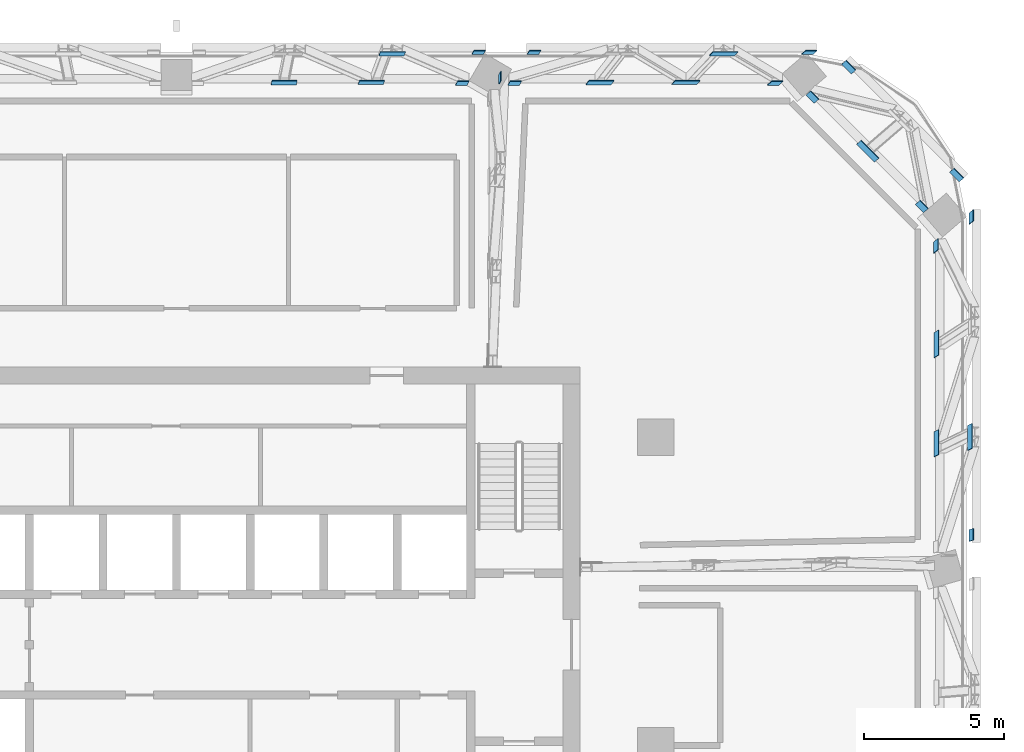
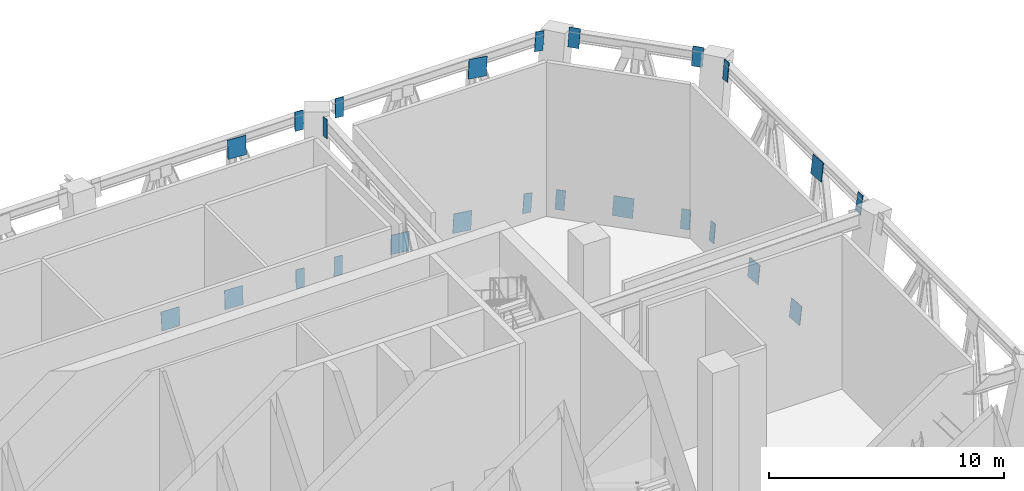
# One storey, part 13 of 24: 24 discrete accessories.
"""IFC4 building model written with IfcOpenShell, lengths in metres."""

from ifc_helpers import new_model, si_unit, direction, frame, origin, origin_2d, place, context, subcontext, project, spatial, rectangle, extrude, material, layer, layer_set, type_object, element, save


model = new_model("IFC4")

# Units and contexts
model_context = context("Model", 3, precision=1e-05, world=origin(), true_north=direction((0.0, 1.0)))
body_context = subcontext(model_context, "Body", "Model", "MODEL_VIEW")
ifc_project = project(units=[si_unit("LENGTHUNIT", "METRE"), si_unit("AREAUNIT", "SQUARE_METRE"), si_unit("VOLUMEUNIT", "CUBIC_METRE"), si_unit("PLANEANGLEUNIT", "RADIAN"), si_unit("MASSUNIT", "GRAM", prefix="KILO")], contexts=[model_context])

# Site, building, storey
site_placement = place(None, origin())
site = spatial("IfcSite", under=ifc_project, at=site_placement, CompositionType="ELEMENT")
building_placement = place(site_placement, origin())
building = spatial("IfcBuilding", under=site, at=building_placement, Name="Mopane Tessera Tower", CompositionType="ELEMENT")
storey_placement = place(building_placement, frame((0.0, 0.0, 259.0)))
storey = spatial("IfcBuildingStorey", under=building, at=storey_placement, Name="L56", CompositionType="ELEMENT", Elevation=259.0)

# Discrete accessories
ifc_material = material(Name="Structural steel S460", Category="steel")
ifc_layer = layer(ifc_material, 0.030029296875)
ifc_layer_set = layer_set([ifc_layer], Name="Structural steel S460")
discrete_accessory_type = type_object("IfcDiscreteAccessoryType", Name="Truss node plate 30 mm", PredefinedType="BRACKET", material=ifc_layer_set)
discrete_accessory_1_placement = place(storey_placement, frame((11.51318359375, 23.7744140625, 7.19189453125), z_axis=(0.077178472729, 0.133454442428, 0.988045239421), x_axis=(-0.997015800735, 0.012045431214, 0.076252217485)))
element("IfcDiscreteAccessory", 1, at=discrete_accessory_1_placement, inside=storey, type_object=discrete_accessory_type, Name="Truss node plate s ot L56 N1 9", PredefinedType="BRACKET", context=body_context, shape_type="SweptSolid", body=[
    extrude(rectangle(XDim=0.030029296875, YDim=0.34814453125, at=origin_2d()), origin(), (0.0, 0.0, 1.0), 0.9111328125),
])
discrete_accessory_2_placement = place(storey_placement, frame((28.2900390625, 7.4892578125, 7.2880859375), z_axis=(0.169772479873, 0.055256137317, 0.983932957252), x_axis=(-0.985483281372, 0.009605207843, 0.16950056672)))
element("IfcDiscreteAccessory", 2, at=discrete_accessory_2_placement, inside=storey, type_object=discrete_accessory_type, Name="Truss node plate s bt L56 E2-E3 1", PredefinedType="BRACKET", context=body_context, shape_type="SweptSolid", body=[
    extrude(rectangle(XDim=0.030029296875, YDim=0.421142578125, at=origin_2d()), origin(), (0.0, 0.0, 1.0), 0.91455078125),
])
for number, where, z_axis, x_axis, name in (
    (3, (28.240478515625, 10.973876953125, 7.001953125), (0.169687848053, 0.080981327799, 0.982164985515), (-0.985497655568, 0.014587410262, 0.169060871678), "Truss node plate s bt L56 E2-E3 2"),
    (4, (27.048583984375, 10.7490234375, 0.095703125), (0.169432505758, 0.083917042946, 0.981962604123), (-0.985541158588, 0.013296209869, 0.168913692554), "Truss node plate s bt L56 E2-E3 3"),
):
    element("IfcDiscreteAccessory", number, at=place(storey_placement, frame(where, z_axis=z_axis, x_axis=x_axis)), inside=storey, type_object=discrete_accessory_type, Name=name, PredefinedType="BRACKET", context=body_context, shape_type="SweptSolid", body=[
        extrude(rectangle(XDim=0.030029296875, YDim=0.89990234375, at=origin_2d()), origin(), (0.0, 0.0, 1.0), 0.91650390625),
    ])
discrete_accessory_3_placement = place(storey_placement, frame((27.044677734375, 14.279541015625, 0.073974609375), z_axis=(0.169194460656, 0.111025564449, 0.97930922518), x_axis=(-0.985582687435, 0.019032823207, 0.168120545646)))
element("IfcDiscreteAccessory", 5, at=discrete_accessory_3_placement, inside=storey, type_object=discrete_accessory_type, Name="Truss node plate s bt L56 E2-E3 5", PredefinedType="BRACKET", context=body_context, shape_type="SweptSolid", body=[
    extrude(rectangle(XDim=0.030029296875, YDim=0.89990234375, at=origin_2d()), origin(), (0.0, 0.0, 1.0), 0.919189453125),
])
discrete_accessory_4_placement = place(storey_placement, frame((27.0263671875, 17.76318359375, -0.032958984375), z_axis=(0.168412620808, 0.137695853491, 0.976051761478), x_axis=(-0.985716507474, 0.023128923761, 0.166817324579)))
element("IfcDiscreteAccessory", 6, at=discrete_accessory_4_placement, inside=storey, type_object=discrete_accessory_type, Name="Truss node plate s bt L56 E2-E3 7", PredefinedType="BRACKET", context=body_context, shape_type="SweptSolid", body=[
    extrude(rectangle(XDim=0.030029296875, YDim=0.404296875, at=origin_2d()), origin(), (0.0, 0.0, 1.0), 0.921875),
])
discrete_accessory_5_placement = place(storey_placement, frame((28.2900390625, 18.796142578125, 7.2880859375), z_axis=(0.168412620808, 0.137695853491, 0.976051761478), x_axis=(-0.985716513723, 0.023144909912, 0.166815070421)))
element("IfcDiscreteAccessory", 7, at=discrete_accessory_5_placement, inside=storey, type_object=discrete_accessory_type, Name="Truss node plate s bt L56 E2-E3 8", PredefinedType="BRACKET", context=body_context, shape_type="SweptSolid", body=[
    extrude(rectangle(XDim=0.030029296875, YDim=0.403076171875, at=origin_2d()), origin(), (0.0, 0.0, 1.0), 0.921875),
])
discrete_accessory_6_placement = place(storey_placement, frame((26.52587890625, 19.1728515625, -0.042724609375), z_axis=(0.16819295105, 0.144920970402, 0.975043098306), x_axis=(-0.687106077615, -0.692009412326, 0.221377982999)))
element("IfcDiscreteAccessory", 8, at=discrete_accessory_6_placement, inside=storey, type_object=discrete_accessory_type, Name="Truss node plate s bt L56 E3-N0 0", PredefinedType="BRACKET", context=body_context, shape_type="SweptSolid", body=[
    extrude(rectangle(XDim=0.030029296875, YDim=0.4150390625, at=origin_2d()), origin(), (0.0, 0.0, 1.0), 0.923095703125),
])
discrete_accessory_7_placement = place(storey_placement, frame((27.7646484375, 20.2900390625, 7.2880859375), z_axis=(0.168486883915, 0.145210830878, 0.974949221521), x_axis=(-0.686948907614, -0.692033942833, 0.221788683876)))
element("IfcDiscreteAccessory", 9, at=discrete_accessory_7_placement, inside=storey, type_object=discrete_accessory_type, Name="Truss node plate s bt L56 E3-N0 1", PredefinedType="BRACKET", context=body_context, shape_type="SweptSolid", body=[
    extrude(rectangle(XDim=0.030029296875, YDim=0.489990234375, at=origin_2d()), origin(), (0.0, 0.0, 1.0), 0.923095703125),
])
discrete_accessory_8_placement = place(storey_placement, frame((24.593994140625, 21.142333984375, 0.073974609375), z_axis=(0.16819295105, 0.144920970402, 0.975043098306), x_axis=(-0.687106077615, -0.692009412326, 0.221377982999)))
element("IfcDiscreteAccessory", 10, at=discrete_accessory_8_placement, inside=storey, type_object=discrete_accessory_type, Name="Truss node plate s bt L56 E3-N0 3", PredefinedType="BRACKET", context=body_context, shape_type="SweptSolid", body=[
    extrude(rectangle(XDim=0.030029296875, YDim=0.89990234375, at=origin_2d()), origin(), (0.0, 0.0, 1.0), 0.923095703125),
])
discrete_accessory_9_placement = place(storey_placement, frame((22.621826171875, 23.076904296875, -0.042724609375), z_axis=(0.168186499549, 0.145179855743, 0.975005697858), x_axis=(-0.686453595515, -0.692604313811, 0.221541701934)))
element("IfcDiscreteAccessory", 11, at=discrete_accessory_9_placement, inside=storey, type_object=discrete_accessory_type, Name="Truss node plate s bt L56 E3-N0 5", PredefinedType="BRACKET", context=body_context, shape_type="SweptSolid", body=[
    extrude(rectangle(XDim=0.030029296875, YDim=0.4150390625, at=origin_2d()), origin(), (0.0, 0.0, 1.0), 0.92333984375),
])
discrete_accessory_10_placement = place(storey_placement, frame((23.91357421875, 24.141357421875, 7.2880859375), z_axis=(0.168236331233, 0.144958348295, 0.975030058056), x_axis=(-0.687096227056, -0.692000924737, 0.221435080619)))
element("IfcDiscreteAccessory", 12, at=discrete_accessory_10_placement, inside=storey, type_object=discrete_accessory_type, Name="Truss node plate s bt L56 E3-N0 6", PredefinedType="BRACKET", context=body_context, shape_type="SweptSolid", body=[
    extrude(rectangle(XDim=0.030029296875, YDim=0.489990234375, at=origin_2d()), origin(), (0.0, 0.0, 1.0), 0.9228515625),
])
discrete_accessory_11_placement = place(storey_placement, frame((21.29345703125, 23.576171875, -0.0390625), z_axis=(0.161793614852, 0.145375932166, 0.976057715783), x_axis=(0.023752512285, -0.989376489465, 0.143422384078)))
element("IfcDiscreteAccessory", 13, at=discrete_accessory_11_placement, inside=storey, type_object=discrete_accessory_type, Name="Truss node plate s bt L56 N0-N1 0", PredefinedType="BRACKET", context=body_context, shape_type="SweptSolid", body=[
    extrude(rectangle(XDim=0.030029296875, YDim=0.411376953125, at=origin_2d()), origin(), (0.0, 0.0, 1.0), 0.921875),
])
discrete_accessory_12_placement = place(storey_placement, frame((22.505615234375, 24.66650390625, 7.2880859375), z_axis=(0.161535728705, 0.145382155834, 0.976099501648), x_axis=(0.024504563502, -0.989375275434, 0.143304189495)))
element("IfcDiscreteAccessory", 14, at=discrete_accessory_12_placement, inside=storey, type_object=discrete_accessory_type, Name="Truss node plate s bt L56 N0-N1 1", PredefinedType="BRACKET", context=body_context, shape_type="SweptSolid", body=[
    extrude(rectangle(XDim=0.030029296875, YDim=0.414306640625, at=origin_2d()), origin(), (0.0, 0.0, 1.0), 0.921875),
])
discrete_accessory_13_placement = place(storey_placement, frame((19.462158203125, 24.625, 7.008056640625), z_axis=(0.140510154507, 0.145556833024, 0.979321247008), x_axis=(0.020170533207, -0.989349764632, 0.144153365596)))
element("IfcDiscreteAccessory", 15, at=discrete_accessory_13_placement, inside=storey, type_object=discrete_accessory_type, Name="Truss node plate s bt L56 N0-N1 2", PredefinedType="BRACKET", context=body_context, shape_type="SweptSolid", body=[
    extrude(rectangle(XDim=0.030029296875, YDim=0.89990234375, at=origin_2d()), origin(), (0.0, 0.0, 1.0), 0.919189453125),
])
discrete_accessory_14_placement = place(storey_placement, frame((18.116943359375, 23.59521484375, 0.08935546875), z_axis=(0.137899658981, 0.145870737534, 0.979645554261), x_axis=(0.020626432671, -0.98930361467, 0.14440536097)))
element("IfcDiscreteAccessory", 16, at=discrete_accessory_14_placement, inside=storey, type_object=discrete_accessory_type, Name="Truss node plate s bt L56 N0-N1 3", PredefinedType="BRACKET", context=body_context, shape_type="SweptSolid", body=[
    extrude(rectangle(XDim=0.030029296875, YDim=0.89990234375, at=origin_2d()), origin(), (0.0, 0.0, 1.0), 0.9189453125),
])
discrete_accessory_15_placement = place(storey_placement, frame((15.060546875, 23.593017578125, 0.073974609375), z_axis=(0.114857272976, 0.146303115693, 0.982549339821), x_axis=(0.017810317666, -0.989239468241, 0.145217309778)))
element("IfcDiscreteAccessory", 17, at=discrete_accessory_15_placement, inside=storey, type_object=discrete_accessory_type, Name="Truss node plate s bt L56 N0-N1 5", PredefinedType="BRACKET", context=body_context, shape_type="SweptSolid", body=[
    extrude(rectangle(XDim=0.030029296875, YDim=0.89990234375, at=origin_2d()), origin(), (0.0, 0.0, 1.0), 0.916015625),
])
discrete_accessory_16_placement = place(storey_placement, frame((12.029052734375, 23.576171875, -0.0390625), z_axis=(0.092182013426, 0.146689638756, 0.984877975326), x_axis=(0.013810784404, -0.989182556621, 0.146038118005)))
element("IfcDiscreteAccessory", 18, at=discrete_accessory_16_placement, inside=storey, type_object=discrete_accessory_type, Name="Truss node plate s bt L56 N0-N1 7", PredefinedType="BRACKET", context=body_context, shape_type="SweptSolid", body=[
    extrude(rectangle(XDim=0.030029296875, YDim=0.411376953125, at=origin_2d()), origin(), (0.0, 0.0, 1.0), 0.913818359375),
])
discrete_accessory_17_placement = place(storey_placement, frame((12.714111328125, 24.66650390625, 7.2880859375), z_axis=(0.092182013426, 0.146689638756, 0.984877975326), x_axis=(0.013796013691, -0.989182558587, 0.146039500798)))
element("IfcDiscreteAccessory", 19, at=discrete_accessory_17_placement, inside=storey, type_object=discrete_accessory_type, Name="Truss node plate s bt L56 N0-N1 8", PredefinedType="BRACKET", context=body_context, shape_type="SweptSolid", body=[
    extrude(rectangle(XDim=0.030029296875, YDim=0.41064453125, at=origin_2d()), origin(), (0.0, 0.0, 1.0), 0.913818359375),
])
discrete_accessory_18_placement = place(storey_placement, frame((10.164794921875, 23.576171875, -0.03857421875), z_axis=(0.077828491184, 0.146831070997, 0.986095006858), x_axis=(0.012428709749, -0.989161200879, 0.146306684227)))
element("IfcDiscreteAccessory", 20, at=discrete_accessory_18_placement, inside=storey, type_object=discrete_accessory_type, Name="Truss node plate s bt L56 N1-N2 0", PredefinedType="BRACKET", context=body_context, shape_type="SweptSolid", body=[
    extrude(rectangle(XDim=0.030029296875, YDim=0.41064453125, at=origin_2d()), origin(), (0.0, 0.0, 1.0), 0.912841796875),
])
discrete_accessory_19_placement = place(storey_placement, frame((10.743896484375, 24.66650390625, 7.2880859375), z_axis=(0.077849022459, 0.146869805258, 0.986087617814), x_axis=(0.012433026507, -0.989155452002, 0.146345179717)))
element("IfcDiscreteAccessory", 21, at=discrete_accessory_19_placement, inside=storey, type_object=discrete_accessory_type, Name="Truss node plate s bt L56 N1-N2 1", PredefinedType="BRACKET", context=body_context, shape_type="SweptSolid", body=[
    extrude(rectangle(XDim=0.030029296875, YDim=0.41064453125, at=origin_2d()), origin(), (0.0, 0.0, 1.0), 0.91259765625),
])
for number, where, z_axis, x_axis, name in (
    (22, (7.672607421875, 24.624755859375, 7.007568359375), (0.05572731523, 0.147087961833, 0.987552326624), (0.009381778616, -0.989122821, 0.146792463043), "Truss node plate s bt L56 N1-N2 2"),
    (23, (6.9296875, 23.595458984375, 0.090087890625), (0.05332514795, 0.146845131038, 0.987721082131), (0.006697715269, -0.989158758849, 0.146697274691), "Truss node plate s bt L56 N1-N2 3"),
):
    element("IfcDiscreteAccessory", number, at=place(storey_placement, frame(where, z_axis=z_axis, x_axis=x_axis)), inside=storey, type_object=discrete_accessory_type, Name=name, PredefinedType="BRACKET", context=body_context, shape_type="SweptSolid", body=[
        extrude(rectangle(XDim=0.030029296875, YDim=0.89990234375, at=origin_2d()), origin(), (0.0, 0.0, 1.0), 0.9111328125),
    ])
discrete_accessory_20_placement = place(storey_placement, frame((3.826904296875, 23.593017578125, 0.073974609375), z_axis=(0.029496373184, 0.147213717072, 0.988664799351), x_axis=(0.003850804856, -0.989104563085, 0.147164311527)))
element("IfcDiscreteAccessory", 24, at=discrete_accessory_20_placement, inside=storey, type_object=discrete_accessory_type, Name="Truss node plate s bt L56 N1-N2 5", PredefinedType="BRACKET", context=body_context, shape_type="SweptSolid", body=[
    extrude(rectangle(XDim=0.030029296875, YDim=0.89990234375, at=origin_2d()), origin(), (0.0, 0.0, 1.0), 0.910400390625),
])

save(model, "model.ifc")
